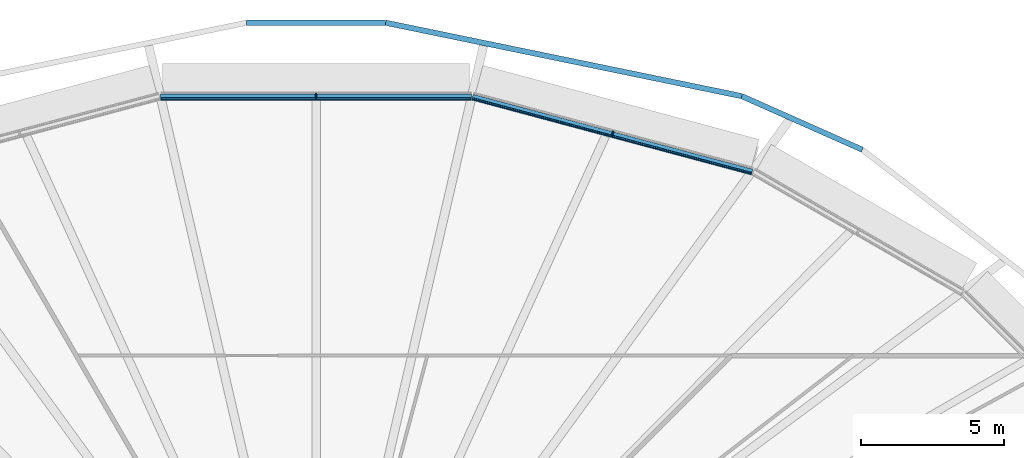
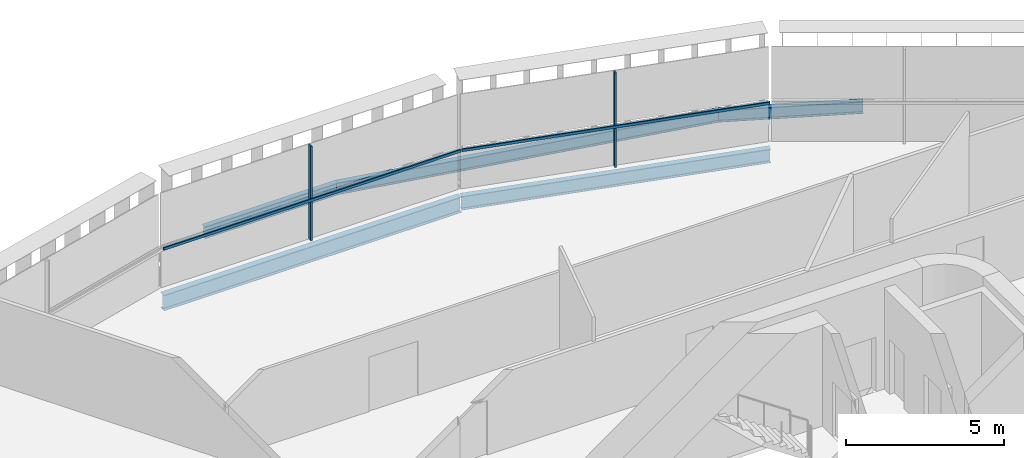
# One storey, part 11 of 25: 5 beams, 4 members, 2 elements without a shape of their own.
"""IFC4 building model written with IfcOpenShell, lengths in metres."""

from ifc_helpers import new_model, si_unit, direction, frame, origin, origin_2d, place, context, subcontext, project, spatial, rectangle, i_section, extrude, material, layer, layer_set, material_profile, profile_set, type_object, element, aggregate, save


model = new_model("IFC4")

# Units and contexts
model_context = context("Model", 3, precision=1e-05, world=origin(), true_north=direction((0.0, 1.0)))
body_context = subcontext(model_context, "Body", "Model", "MODEL_VIEW")
ifc_project = project(units=[si_unit("LENGTHUNIT", "METRE"), si_unit("AREAUNIT", "SQUARE_METRE"), si_unit("VOLUMEUNIT", "CUBIC_METRE"), si_unit("PLANEANGLEUNIT", "RADIAN"), si_unit("MASSUNIT", "GRAM", prefix="KILO")], contexts=[model_context])

# Site, building, storey
site_placement = place(None, origin())
site = spatial("IfcSite", under=ifc_project, at=site_placement, CompositionType="ELEMENT")
building_placement = place(site_placement, origin())
building = spatial("IfcBuilding", under=site, at=building_placement, Name="Sahrelin Media Tower", CompositionType="ELEMENT")
storey_placement = place(building_placement, frame((0.0, 0.0, 144.0)))
storey = spatial("IfcBuildingStorey", under=building, at=storey_placement, Name="L29", CompositionType="ELEMENT", Elevation=144.0)

# Beams
ifc_material_1 = material(Name="Steel S355", Category="steel")
ifc_material_profile_1 = material_profile(ifc_material_1, i_section(OverallWidth=0.208740234375, OverallDepth=0.5283203125, WebThickness=0.009521484375, FlangeThickness=0.01318359375, FilletRadius=0.0126953125, at=origin_2d()), Name="UB 533x210x82")
ifc_profile_set_1 = profile_set([ifc_material_profile_1], Name="Steel S355")
beam_type_1 = type_object("IfcBeamType", Name="Edge beam EB6", PredefinedType="BEAM", material=ifc_profile_set_1)
beam_1_placement = place(storey_placement, frame((5.46337890625, 23.5419921875, -0.414306640625), z_axis=(0.96592349726, -0.258827737002, 0.0), x_axis=(0.258827737002, 0.96592349726, 0.0)))
element("IfcBeam", 1, at=beam_1_placement, inside=storey, type_object=beam_type_1, Name="Edge beam L29-20", PredefinedType="BEAM", context=body_context, shape_type="SweptSolid", body=[
    extrude(i_section(OverallWidth=0.208740234375, OverallDepth=0.5283203125, WebThickness=0.009521484375, FlangeThickness=0.01318359375, FilletRadius=0.0126953125, at=origin_2d()), origin(), (0.0, 0.0, 1.0), 10.119140625),
])
ifc_material_profile_2 = material_profile(ifc_material_1, i_section(OverallWidth=0.2275390625, OverallDepth=0.6025390625, WebThickness=0.010498046875, FlangeThickness=0.014892578125, FilletRadius=0.0126953125, at=origin_2d()), Name="UB 610x229x101")
ifc_profile_set_2 = profile_set([ifc_material_profile_2], Name="Steel S355")
beam_type_2 = type_object("IfcBeamType", Name="Edge beam EB7", PredefinedType="BEAM", material=ifc_profile_set_2)
beam_2_placement = place(storey_placement, frame((-5.434814453125, 23.545654296875, -0.451416015625), z_axis=(1.0, 0.0, 0.0), x_axis=(0.0, 1.0, 0.0)))
element("IfcBeam", 2, at=beam_2_placement, inside=storey, type_object=beam_type_2, Name="Edge beam L29-19", PredefinedType="BEAM", context=body_context, shape_type="SweptSolid", body=[
    extrude(i_section(OverallWidth=0.2275390625, OverallDepth=0.6025390625, WebThickness=0.010498046875, FlangeThickness=0.014892578125, FilletRadius=0.0126953125, at=origin_2d()), origin(), (0.0, 0.0, 1.0), 10.86962890625),
])

# Curtain wall, member
ifc_material_2 = material(Name="Champagne anodised aluminium 6063-T6", Category="aluminium")
ifc_layer = layer(ifc_material_2, 0.14990234375)
ifc_layer_set = layer_set([ifc_layer], Name="Tower ribbon curtain wall")
curtain_wall_type = type_object("IfcCurtainWallType", Name="Tower ribbon curtain wall", PredefinedType="NOTDEFINED", material=ifc_layer_set)
curtain_wall_1_placement = place(storey_placement, frame((10.389404296875, 22.377197265625, 0.0), z_axis=(0.0, 0.0, 1.0), x_axis=(1.0, 0.0, 0.0)))
curtain_wall_1 = element("IfcCurtainWall", 3, at=curtain_wall_1_placement, inside=storey, type_object=curtain_wall_type, Name="L29:CW:L29-05", PredefinedType="NOTDEFINED")
ifc_material_profile_3 = material_profile(ifc_material_2, rectangle(XDim=0.06005859375, YDim=0.14990234375, at=origin_2d()), Name="Mullion 60x150")
ifc_profile_set_3 = profile_set([ifc_material_profile_3], Name="Champagne anodised aluminium 6063-T6")
member_type_1 = type_object("IfcMemberType", Name="Mullion 60x150 CW1", PredefinedType="MULLION", material=ifc_profile_set_3)
member_1_placement = place(storey_placement, frame((10.364990234375, 22.285400390625, 0.0), z_axis=(0.0, 0.0, 1.0), x_axis=(-0.965925826289, 0.258819045103, 0.0)))
member_1 = element("IfcMember", 4, at=member_1_placement, type_object=member_type_1, Name="L29:CWM:L29-05", PredefinedType="MULLION", context=body_context, shape_type="SweptSolid", body=[
    extrude(rectangle(XDim=0.06005859375, YDim=0.14990234375, at=origin_2d()), origin(), (0.0, 0.0, 1.0), 3.648681640625),
])

curtain_wall_2_placement = place(storey_placement, frame((0.0, 23.69580078125, 0.0), z_axis=(0.0, 0.0, 1.0), x_axis=(1.0, 0.0, 0.0)))
curtain_wall_2 = element("IfcCurtainWall", 5, at=curtain_wall_2_placement, inside=storey, type_object=curtain_wall_type, Name="L29:CW:L29-06", PredefinedType="NOTDEFINED")
member_2_placement = place(storey_placement, frame((0.0, 23.6005859375, 0.0), z_axis=(0.0, 0.0, 1.0), x_axis=(-1.0, 0.0, 0.0)))
member_2 = element("IfcMember", 6, at=member_2_placement, type_object=member_type_1, Name="L29:CWM:L29-06", PredefinedType="MULLION", context=body_context, shape_type="SweptSolid", body=[
    extrude(rectangle(XDim=0.06005859375, YDim=0.14990234375, at=origin_2d()), origin(), (0.0, 0.0, 1.0), 3.648681640625),
])

# Beams
ifc_material_profile_4 = material_profile(ifc_material_1, i_section(OverallWidth=0.1904296875, OverallDepth=0.45703125, WebThickness=0.009033203125, FlangeThickness=0.014404296875, FilletRadius=0.01025390625, at=origin_2d()), Name="UB 457x191x74")
ifc_profile_set_4 = profile_set([ifc_material_profile_4], Name="Steel S355")
beam_type_3 = type_object("IfcBeamType", Name="Tie chord TC5", PredefinedType="BEAM", material=ifc_profile_set_4)
beam_3_placement = place(storey_placement, frame((19.088623046875, 21.70751953125, -0.37841796875), z_axis=(-0.913826849617, 0.406104037062, 0.0), x_axis=(-0.406104037062, -0.913826849617, 0.0)))
element("IfcBeam", 7, at=beam_3_placement, inside=storey, type_object=beam_type_3, Name="Tie chord L29-04", PredefinedType="BEAM", context=body_context, shape_type="SweptSolid", body=[
    extrude(i_section(OverallWidth=0.1904296875, OverallDepth=0.45703125, WebThickness=0.009033203125, FlangeThickness=0.014404296875, FilletRadius=0.01025390625, at=origin_2d()), origin(), (0.0, 0.0, 1.0), 4.605712890625),
])
beam_4_placement = place(storey_placement, frame((14.8798828125, 23.577880859375, -0.37841796875), z_axis=(-0.979389379459, 0.201981294685, 0.0), x_axis=(-0.201981294685, -0.979389379459, 0.0)))
element("IfcBeam", 8, at=beam_4_placement, inside=storey, type_object=beam_type_3, Name="Tie chord L29-05", PredefinedType="BEAM", context=body_context, shape_type="SweptSolid", body=[
    extrude(i_section(OverallWidth=0.1904296875, OverallDepth=0.45703125, WebThickness=0.009033203125, FlangeThickness=0.014404296875, FilletRadius=0.01025390625, at=origin_2d()), origin(), (0.0, 0.0, 1.0), 12.712158203125),
])
beam_5_placement = place(storey_placement, frame((2.4296875, 26.1455078125, -0.37841796875), z_axis=(-1.0, 0.0, 0.0), x_axis=(0.0, -1.0, 0.0)))
element("IfcBeam", 9, at=beam_5_placement, inside=storey, type_object=beam_type_3, Name="Tie chord L29-06", PredefinedType="BEAM", context=body_context, shape_type="SweptSolid", body=[
    extrude(i_section(OverallWidth=0.1904296875, OverallDepth=0.45703125, WebThickness=0.009033203125, FlangeThickness=0.014404296875, FilletRadius=0.01025390625, at=origin_2d()), origin(), (0.0, 0.0, 1.0), 4.859375),
])

# Member
ifc_material_profile_5 = material_profile(ifc_material_2, rectangle(XDim=0.050048828125, YDim=0.10009765625, at=origin_2d()), Name="Transom 50x100")
ifc_profile_set_5 = profile_set([ifc_material_profile_5], Name="Champagne anodised aluminium 6063-T6")
member_type_2 = type_object("IfcMemberType", Name="Transom 50x100 CW1", PredefinedType="USERDEFINED", material=ifc_profile_set_5)
member_3_placement = place(storey_placement, frame((15.2109375, 20.883544921875, 1.60009765625), z_axis=(-0.965928174808, 0.258810280151, 0.0), x_axis=(-0.258810280151, -0.965928174808, 0.0)))
member_3 = element("IfcMember", 10, at=member_3_placement, type_object=member_type_2, Name="L29:CWT:L29-05", ObjectType="TRANSOM", PredefinedType="USERDEFINED", context=body_context, shape_type="SweptSolid", body=[
    extrude(rectangle(XDim=0.050048828125, YDim=0.10009765625, at=origin_2d()), origin(), (0.0, 0.0, 1.0), 10.087890625),
])

aggregate(curtain_wall_1, [member_1, member_3])

member_4_placement = place(storey_placement, frame((5.419189453125, 23.500732421875, 1.60009765625), z_axis=(-1.0, 0.0, 0.0), x_axis=(0.0, -1.0, 0.0)))
member_4 = element("IfcMember", 11, at=member_4_placement, type_object=member_type_2, Name="L29:CWT:L29-06", ObjectType="TRANSOM", PredefinedType="USERDEFINED", context=body_context, shape_type="SweptSolid", body=[
    extrude(rectangle(XDim=0.050048828125, YDim=0.10009765625, at=origin_2d()), origin(), (0.0, 0.0, 1.0), 10.83837890625),
])

aggregate(curtain_wall_2, [member_2, member_4])

save(model, "model.ifc")
